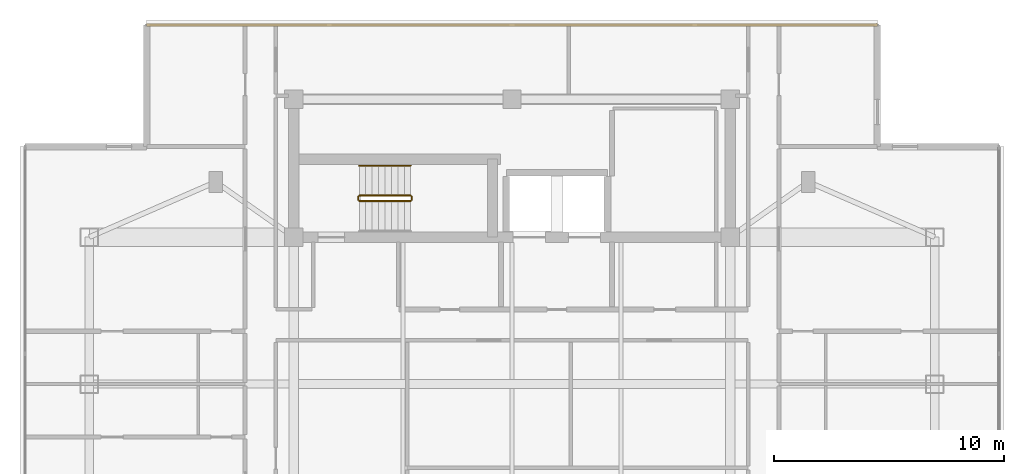
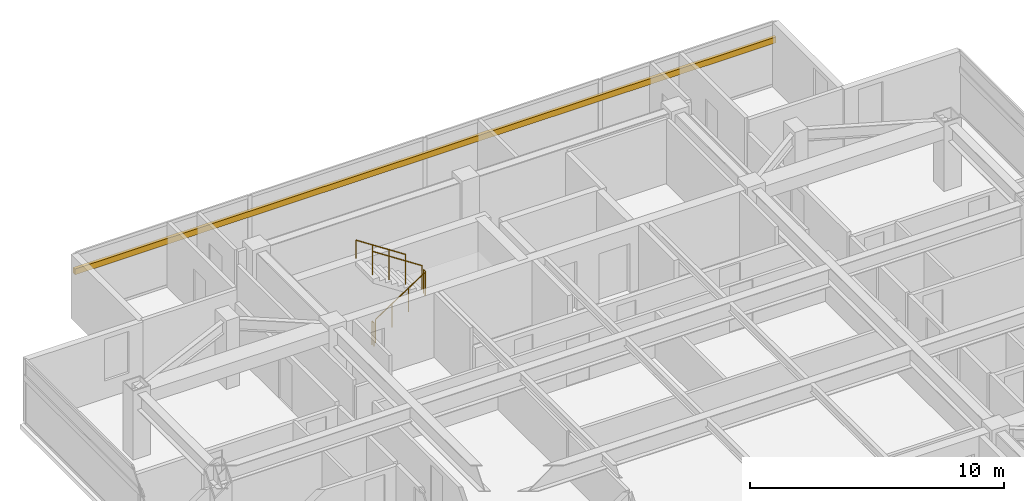
# One storey, part 14 of 14: 5 railings, 1 shading device.
"""IFC4 building model written with IfcOpenShell, lengths in metres."""

from ifc_helpers import new_model, si_unit, direction, frame, origin, origin_2d, place, context, subcontext, project, spatial, rectangle, circle, extrude, material, material_profile, profile_set, type_object, element, save


model = new_model("IFC4")

# Units and contexts
model_context = context("Model", 3, precision=1e-05, world=origin(), true_north=direction((0.0, 1.0)))
body_context = subcontext(model_context, "Body", "Model", "MODEL_VIEW")
ifc_project = project(units=[si_unit("LENGTHUNIT", "METRE"), si_unit("AREAUNIT", "SQUARE_METRE"), si_unit("VOLUMEUNIT", "CUBIC_METRE"), si_unit("PLANEANGLEUNIT", "RADIAN"), si_unit("MASSUNIT", "GRAM", prefix="KILO")], contexts=[model_context])

# Site, building, storey
site_placement = place(None, origin())
site = spatial("IfcSite", under=ifc_project, at=site_placement, CompositionType="ELEMENT")
building_placement = place(site_placement, origin())
building = spatial("IfcBuilding", under=site, at=building_placement, Name="Mirazonda Arch Towers", CompositionType="ELEMENT")
storey_placement = place(building_placement, frame((0.0, 0.0, 232.60009765625)))
storey = spatial("IfcBuildingStorey", under=building, at=storey_placement, Name="L66", CompositionType="ELEMENT", Elevation=232.60009765625)

# Shading device
ifc_material_1 = material(Name="Kiln-Fired Architectural Terracotta", Category="masonry")
ifc_material_profile = material_profile(ifc_material_1, rectangle(XDim=0.139892578125, YDim=0.280029296875, at=origin_2d()), Name="TERRA-BAG-140x280")
ifc_profile_set = profile_set([ifc_material_profile], Name="Kiln-Fired Architectural Terracotta")
shading_device_type = type_object("IfcShadingDeviceType", Name="BAGUETTE-3", PredefinedType="USERDEFINED", material=ifc_profile_set)
shading_device_placement = place(storey_placement, frame((4.590087890625, 46.83203125, 2.217529296875), z_axis=(1.0, 0.0, 0.0), x_axis=(0.0, 1.0, 0.0)))
element("IfcShadingDevice", 1, at=shading_device_placement, inside=storey, type_object=shading_device_type, Name="L66 Glazed Terracotta Sun-Screen Baguette CW-L66-T1-N", ObjectType="BAGUETTE", PredefinedType="USERDEFINED", context=body_context, shape_type="SweptSolid", body=[
    extrude(rectangle(XDim=0.139892578125, YDim=0.280029296875, at=origin_2d()), origin(), (0.0, 0.0, 1.0), 31.81982421875),
])

# Railings
ifc_material_2 = material(Name="Architectural Brushed Steel S355", Category="steel")
railing_type_1 = type_object("IfcRailingType", Name="GUARD-STAIR-1120", PredefinedType="GUARDRAIL", material=ifc_material_2)
railing_1_placement = place(storey_placement, frame((13.85009765625, 39.169921875, 0.183349609375)))
element("IfcRailing", 2, at=railing_1_placement, inside=storey, type_object=railing_type_1, Name="L66 ST-T1N stair guard 1", PredefinedType="GUARDRAIL", context=body_context, shape_type="SweptSolid", body=[
    extrude(circle(Radius=0.02392578125, at=origin_2d()), frame((0.0, 0.0, 1.1259765625), z_axis=(0.836636935527, 0.0, 0.547757827979), x_axis=(0.0, 1.0, 0.0)), (0.0, 0.0, 1.0), 2.677490234375),
    extrude(circle(Radius=0.02099609375, at=origin_2d()), origin(), (0.0, 0.0, 1.0), 1.101806640625),
    extrude(circle(Radius=0.02099609375, at=origin_2d()), frame((0.74658203125, 0.0, 0.48876953125)), (0.0, 0.0, 1.0), 1.101806640625),
    extrude(circle(Radius=0.02099609375, at=origin_2d()), frame((1.493408203125, 0.0, 0.977783203125)), (0.0, 0.0, 1.0), 1.101806640625),
    extrude(circle(Radius=0.02099609375, at=origin_2d()), frame((2.239990234375, 0.0, 1.466552734375)), (0.0, 0.0, 1.0), 1.101806640625),
])
railing_2_placement = place(storey_placement, frame((16.139892578125, 39.219970703125, 1.64990234375)))
element("IfcRailing", 3, at=railing_2_placement, inside=storey, type_object=railing_type_1, Name="L66 ST-T1N stair guard 2", PredefinedType="GUARDRAIL", context=body_context, shape_type="SweptSolid", body=[
    extrude(circle(Radius=0.02392578125, at=origin_2d()), frame((0.0, 0.0, 1.1259765625), z_axis=(0.0, 1.0, 0.0), x_axis=(-1.0, 0.0, 0.0)), (0.0, 0.0, 1.0), 0.14013671875),
    extrude(circle(Radius=0.02099609375, at=origin_2d()), origin(), (0.0, 0.0, 1.0), 1.101806640625),
    extrude(circle(Radius=0.02099609375, at=origin_2d()), frame((0.0, 0.14013671875, 0.0)), (0.0, 0.0, 1.0), 1.101806640625),
])
railing_3_placement = place(storey_placement, frame((16.090087890625, 39.409912109375, 1.833251953125)))
element("IfcRailing", 4, at=railing_3_placement, inside=storey, type_object=railing_type_1, Name="L66 ST-T1N stair guard 3", PredefinedType="GUARDRAIL", context=body_context, shape_type="SweptSolid", body=[
    extrude(circle(Radius=0.02392578125, at=origin_2d()), frame((0.0, 0.0, 1.1259765625), z_axis=(-0.836636935527, 0.0, 0.547757827979), x_axis=(0.0, -1.0, 0.0)), (0.0, 0.0, 1.0), 2.677490234375),
    extrude(circle(Radius=0.02099609375, at=origin_2d()), origin(), (0.0, 0.0, 1.0), 1.101806640625),
    extrude(circle(Radius=0.02099609375, at=origin_2d()), frame((-0.74658203125, 0.0, 0.48876953125)), (0.0, 0.0, 1.0), 1.101806640625),
    extrude(circle(Radius=0.02099609375, at=origin_2d()), frame((-1.493408203125, 0.0, 0.977783203125)), (0.0, 0.0, 1.0), 1.101806640625),
    extrude(circle(Radius=0.02099609375, at=origin_2d()), frame((-2.239990234375, 0.0, 1.466552734375)), (0.0, 0.0, 1.0), 1.101806640625),
])
railing_4_placement = place(storey_placement, frame((13.800048828125, 39.219970703125, 0.0)))
element("IfcRailing", 5, at=railing_4_placement, inside=storey, type_object=railing_type_1, Name="L66 ST-T1N stair guard 4", PredefinedType="GUARDRAIL", context=body_context, shape_type="SweptSolid", body=[
    extrude(circle(Radius=0.02392578125, at=origin_2d()), frame((0.0, 0.0, 1.1259765625), z_axis=(0.0, 1.0, 0.0), x_axis=(-1.0, 0.0, 0.0)), (0.0, 0.0, 1.0), 0.14013671875),
    extrude(circle(Radius=0.02099609375, at=origin_2d()), origin(), (0.0, 0.0, 1.0), 1.101806640625),
    extrude(circle(Radius=0.02099609375, at=origin_2d()), frame((0.0, 0.14013671875, 0.0)), (0.0, 0.0, 1.0), 1.101806640625),
])
railing_type_2 = type_object("IfcRailingType", Name="HANDRAIL-915", PredefinedType="HANDRAIL", material=ifc_material_2)
railing_5_placement = place(storey_placement, frame((16.090087890625, 40.7099609375, 1.833251953125)))
element("IfcRailing", 6, at=railing_5_placement, inside=storey, type_object=railing_type_2, Name="L66 ST-T1N stair handrail 2", PredefinedType="HANDRAIL", context=body_context, shape_type="SweptSolid", body=[
    extrude(circle(Radius=0.02392578125, at=origin_2d()), frame((0.0, 0.0, 0.8759765625), z_axis=(-0.836636935527, 0.0, 0.547757827979), x_axis=(0.0, -1.0, 0.0)), (0.0, 0.0, 1.0), 2.677490234375),
    extrude(circle(Radius=0.02099609375, at=origin_2d()), origin(), (0.0, 0.0, 1.0), 0.851806640625),
    extrude(circle(Radius=0.02099609375, at=origin_2d()), frame((-0.74658203125, 0.0, 0.48876953125)), (0.0, 0.0, 1.0), 0.851806640625),
    extrude(circle(Radius=0.02099609375, at=origin_2d()), frame((-1.493408203125, 0.0, 0.977783203125)), (0.0, 0.0, 1.0), 0.851806640625),
    extrude(circle(Radius=0.02099609375, at=origin_2d()), frame((-2.239990234375, 0.0, 1.466552734375)), (0.0, 0.0, 1.0), 0.851806640625),
])

save(model, "model.ifc")
